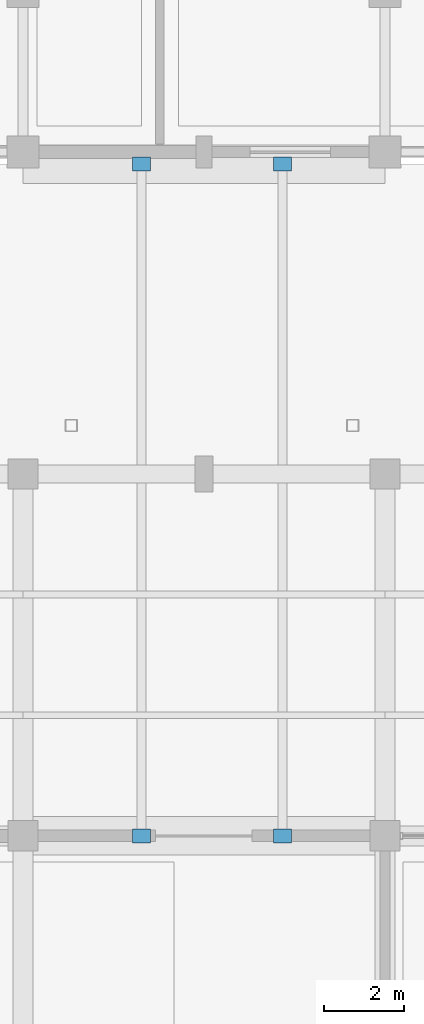
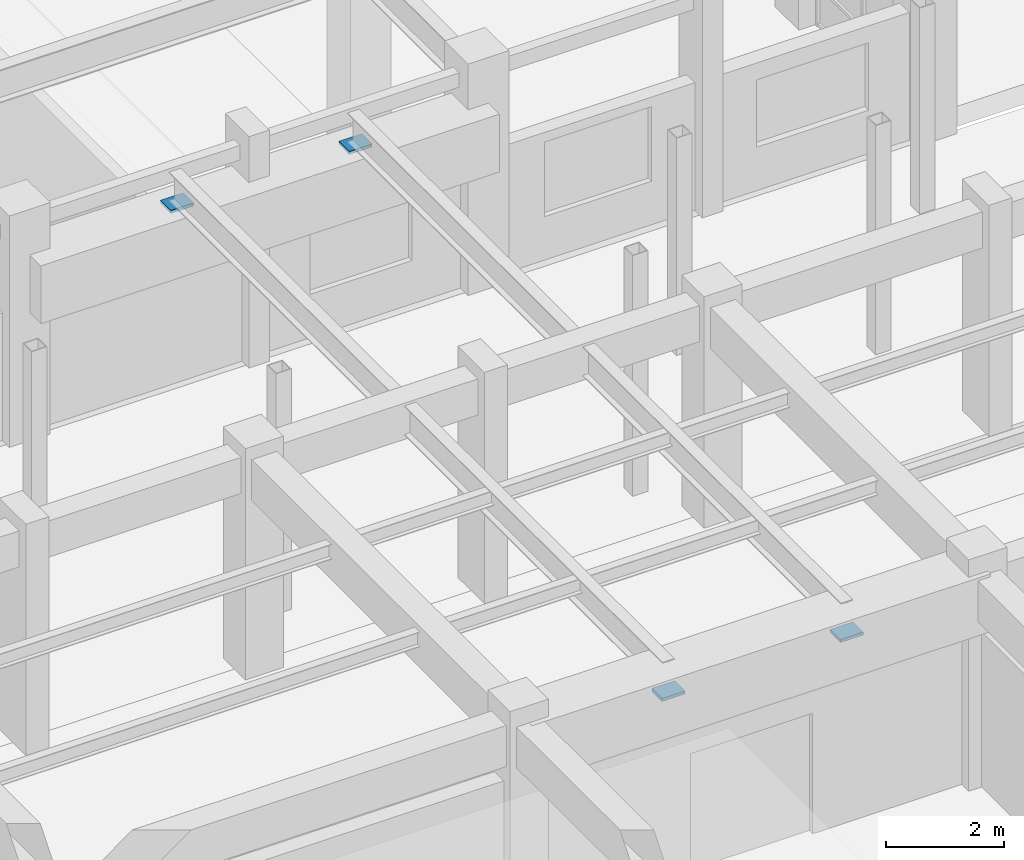
# One storey, part 43 of 47: 4 discrete accessories.
"""IFC4 building model written with IfcOpenShell, lengths in metres."""

from ifc_helpers import new_model, si_unit, direction, frame, origin, origin_2d, place, context, subcontext, project, spatial, rectangle, extrude, material, type_object, element, save


model = new_model("IFC4")

# Units and contexts
model_context = context("Model", 3, precision=1e-05, world=origin(), true_north=direction((0.0, 1.0)))
body_context = subcontext(model_context, "Body", "Model", "MODEL_VIEW")
ifc_project = project(units=[si_unit("LENGTHUNIT", "METRE"), si_unit("AREAUNIT", "SQUARE_METRE"), si_unit("VOLUMEUNIT", "CUBIC_METRE"), si_unit("PLANEANGLEUNIT", "RADIAN"), si_unit("MASSUNIT", "GRAM", prefix="KILO")], contexts=[model_context])

# Site, building, storey
site_placement = place(None, origin())
site = spatial("IfcSite", under=ifc_project, at=site_placement, CompositionType="ELEMENT")
building_placement = place(site_placement, origin())
building = spatial("IfcBuilding", under=site, at=building_placement, Name="Ventoquebrada Cableway Terminal", CompositionType="ELEMENT")
storey_placement = place(building_placement, origin())
storey = spatial("IfcBuildingStorey", under=building, at=storey_placement, Name="L00", CompositionType="ELEMENT", Elevation=0.0)

# Discrete accessories
ifc_material_1 = material(Name="Steel ASTM A500 Grade C", Category="steel")
discrete_accessory_type_1 = type_object("IfcDiscreteAccessoryType", Name="FB-1", PredefinedType="SHOE", material=ifc_material_1)
for number, where, z_axis, x_axis, name in (
    (1, (20.14990234375, 47.0, 3.802490234375), (0.0, 0.0, 1.0), (1.0, 0.0, 0.0), "Pinned bridge bearing FB-1 (LP-1)"),
    (2, (23.64990234375, 47.0, 3.802490234375), (0.0, 0.0, 1.0), (1.0, 0.0, 0.0), "Pinned bridge bearing FB-1 (LP-1)"),
):
    element("IfcDiscreteAccessory", number, at=place(storey_placement, frame(where, z_axis=z_axis, x_axis=x_axis)), inside=storey, type_object=discrete_accessory_type_1, Name=name, PredefinedType="SHOE", context=body_context, shape_type="SweptSolid", body=[
        extrude(rectangle(XDim=0.449951171875, YDim=0.35009765625, at=origin_2d()), origin(), (0.0, 0.0, 1.0), 0.06494140625),
    ])
ifc_material_2 = material(Name="Elastomeric PTFE bearing assembly")
discrete_accessory_type_2 = type_object("IfcDiscreteAccessoryType", Name="SB-1", PredefinedType="SHOE", material=ifc_material_2)
for number, where, z_axis, x_axis, name in (
    (3, (20.14990234375, 63.699951171875, 3.802490234375), (0.0, 0.0, 1.0), (1.0, 0.0, 0.0), "Unguided PTFE sliding bearing SB-1 (LP-1)"),
    (4, (23.64990234375, 63.699951171875, 3.802490234375), (0.0, 0.0, 1.0), (1.0, 0.0, 0.0), "Unguided PTFE sliding bearing SB-1 (LP-1)"),
):
    element("IfcDiscreteAccessory", number, at=place(storey_placement, frame(where, z_axis=z_axis, x_axis=x_axis)), inside=storey, type_object=discrete_accessory_type_2, Name=name, PredefinedType="SHOE", context=body_context, shape_type="SweptSolid", body=[
        extrude(rectangle(XDim=0.449951171875, YDim=0.35009765625, at=origin_2d()), origin(), (0.0, 0.0, 1.0), 0.06494140625),
    ])

save(model, "model.ifc")
